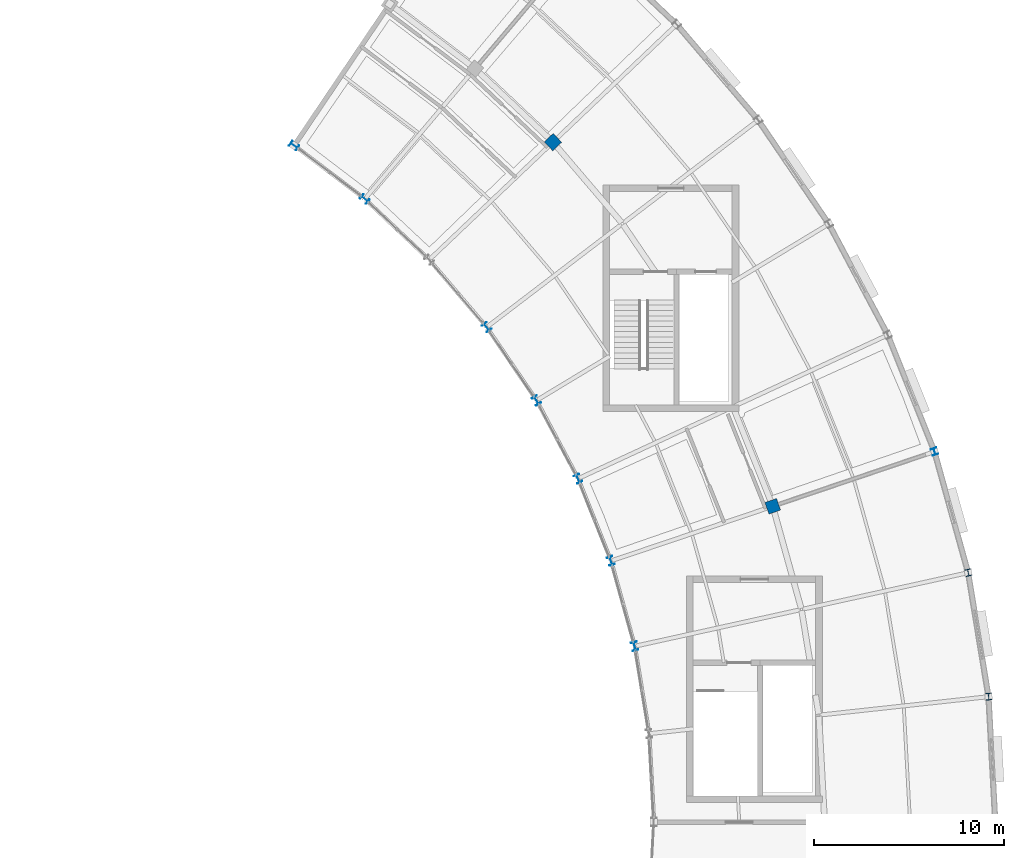
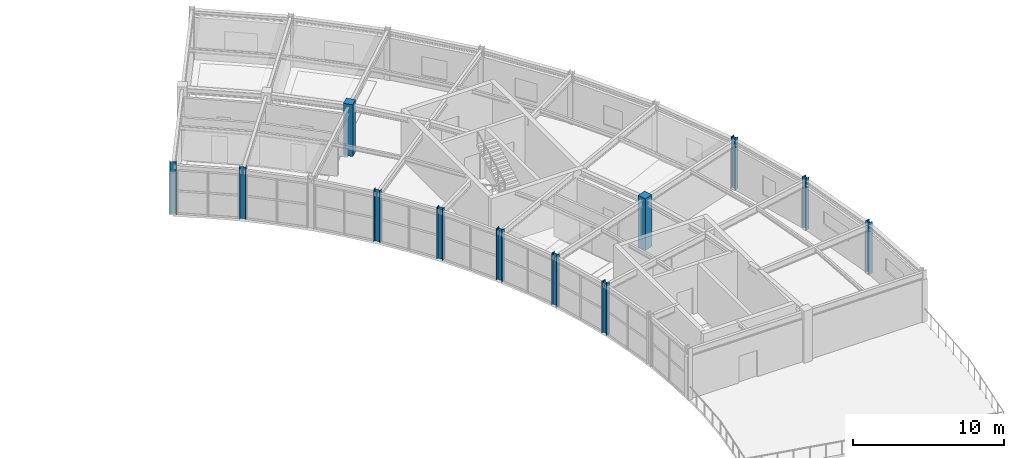
# One storey, part 3 of 29: 12 columns.
"""IFC4 building model written with IfcOpenShell, lengths in metres."""

from ifc_helpers import new_model, si_unit, direction, frame, origin, origin_2d, place, context, subcontext, project, spatial, rectangle, i_section, extrude, material, material_profile, profile_set, type_object, element, save


model = new_model("IFC4")

# Units and contexts
model_context = context("Model", 3, precision=1e-05, world=origin(), true_north=direction((0.0, 1.0)))
body_context = subcontext(model_context, "Body", "Model", "MODEL_VIEW")
ifc_project = project(units=[si_unit("LENGTHUNIT", "METRE"), si_unit("AREAUNIT", "SQUARE_METRE"), si_unit("VOLUMEUNIT", "CUBIC_METRE"), si_unit("PLANEANGLEUNIT", "RADIAN"), si_unit("MASSUNIT", "GRAM", prefix="KILO")], contexts=[model_context])

# Site, building, storey
site_placement = place(None, origin())
site = spatial("IfcSite", under=ifc_project, at=site_placement, CompositionType="ELEMENT")
building_placement = place(site_placement, origin())
building = spatial("IfcBuilding", under=site, at=building_placement, Name="Tarnveldt Headland Concert Hall", CompositionType="ELEMENT")
storey_placement = place(building_placement, frame((0.0, 0.0, 18.60009765625)))
storey = spatial("IfcBuildingStorey", under=building, at=storey_placement, Name="L04", CompositionType="ELEMENT", Elevation=18.60009765625)

# Columns
ifc_material_1 = material(Name="Concrete C40/50", Category="concrete")
ifc_material_profile_1 = material_profile(ifc_material_1, rectangle(XDim=0.64990234375, YDim=0.64990234375, at=origin_2d()), Name="RC 650x650", Category="concrete")
ifc_profile_set_1 = profile_set([ifc_material_profile_1], Name="Concrete C40/50")
column_type_1 = type_object("IfcColumnType", Name="CC-650", PredefinedType="COLUMN", material=ifc_profile_set_1)
for number, where, z_axis, x_axis, name in (
    (1, (166.7646484375, 76.643310546875, 0.0), (0.0, 0.0, 1.0), (0.947378020466, 0.320116988518, 0.0), "Column V3C12MD L04"),
    (2, (155.184814453125, 95.8310546875, 0.0), (0.0, 0.0, 1.0), (0.724653130187, 0.689113808387, 0.0), "Column V3C16MD L04"),
):
    element("IfcColumn", number, at=place(storey_placement, frame(where, z_axis=z_axis, x_axis=x_axis)), inside=storey, type_object=column_type_1, Name=name, PredefinedType="COLUMN", context=body_context, shape_type="SweptSolid", body=[
        extrude(rectangle(XDim=0.64990234375, YDim=0.64990234375, at=origin_2d()), origin(), (0.0, 0.0, 1.0), 4.199951171875),
    ])
ifc_material_2 = material(Name="Steel S355", Category="steel")
ifc_material_profile_2 = material_profile(ifc_material_2, i_section(OverallWidth=0.300048828125, OverallDepth=0.360107421875, WebThickness=0.012451171875, FlangeThickness=0.0224609375, FilletRadius=0.027099609375, at=origin_2d()), Name="HEB360", Category="steel")
ifc_profile_set_2 = profile_set([ifc_material_profile_2], Name="Steel S355")
column_type_2 = type_object("IfcColumnType", Name="SC-HEB360", PredefinedType="COLUMN", material=ifc_profile_set_2)
for number, where, z_axis, x_axis, name in (
    (3, (178.140625, 66.611572265625, 0.0), (0.0, 0.0, 1.0), (0.994113204519, 0.108346373271, 0.0), "Column V3C10OUT L04"),
    (4, (177.06689453125, 73.14501953125, 0.0), (0.0, 0.0, 1.0), (0.976522126798, 0.215417120661, 0.0), "Column V3C11OUT L04"),
    (5, (175.291259765625, 79.523681640625, 0.0), (0.0, 0.0, 1.0), (0.947378020466, 0.320116988518, 0.0), "Column V3C12OUT L04"),
):
    element("IfcColumn", number, at=place(storey_placement, frame(where, z_axis=z_axis, x_axis=x_axis)), inside=storey, type_object=column_type_2, Name=name, PredefinedType="COLUMN", context=body_context, shape_type="SweptSolid", body=[
        extrude(i_section(OverallWidth=0.300048828125, OverallDepth=0.360107421875, WebThickness=0.012451171875, FlangeThickness=0.0224609375, FilletRadius=0.027099609375, at=origin_2d()), origin(), (0.0, 0.0, 1.0), 4.199951171875),
    ])
ifc_material_profile_3 = material_profile(ifc_material_2, i_section(OverallWidth=0.300048828125, OverallDepth=0.449951171875, WebThickness=0.013916015625, FlangeThickness=0.02587890625, FilletRadius=0.027099609375, at=origin_2d()), Name="HEB450", Category="steel")
ifc_profile_set_3 = profile_set([ifc_material_profile_3], Name="Steel S355")
column_type_3 = type_object("IfcColumnType", Name="SC-HEB450", PredefinedType="COLUMN", material=ifc_profile_set_3)
for number, where, z_axis, x_axis, name in (
    (6, (159.48974609375, 69.26611328125, 0.0), (0.0, 0.0, 1.0), (0.976522126798, 0.215417120661, 0.0), "Column V3C11IN L04"),
    (7, (158.238037109375, 73.7626953125, 0.0), (0.0, 0.0, 1.0), (0.947378020466, 0.320116988518, 0.0), "Column V3C12IN L04"),
    (8, (156.50634765625, 78.096923828125, 0.0), (0.0, 0.0, 1.0), (0.907117485088, 0.42087749791, 0.0), "Column V3C13IN L04"),
    (9, (154.315185546875, 82.218017578125, 0.0), (0.0, 0.0, 1.0), (0.856176919486, 0.516682767798, 0.0), "Column V3C14IN L04"),
    (10, (151.690185546875, 86.077392578125, 0.0), (0.0, 0.0, 1.0), (0.795156077043, 0.60640482612, 0.0), "Column V3C15IN L04"),
    (11, (145.267333984375, 92.83251953125, 0.0), (0.0, 0.0, 1.0), (0.645724263505, 0.763570674869, 0.0), "Column V3C17IN L04"),
    (12, (141.54541015625, 95.648681640625, 0.0), (0.0, 0.0, 1.0), (0.559192903471, 0.829037572555, 0.0), "Column V3C18IN L04"),
):
    element("IfcColumn", number, at=place(storey_placement, frame(where, z_axis=z_axis, x_axis=x_axis)), inside=storey, type_object=column_type_3, Name=name, PredefinedType="COLUMN", context=body_context, shape_type="SweptSolid", body=[
        extrude(i_section(OverallWidth=0.300048828125, OverallDepth=0.449951171875, WebThickness=0.013916015625, FlangeThickness=0.02587890625, FilletRadius=0.027099609375, at=origin_2d()), origin(), (0.0, 0.0, 1.0), 4.199951171875),
    ])

save(model, "model.ifc")
